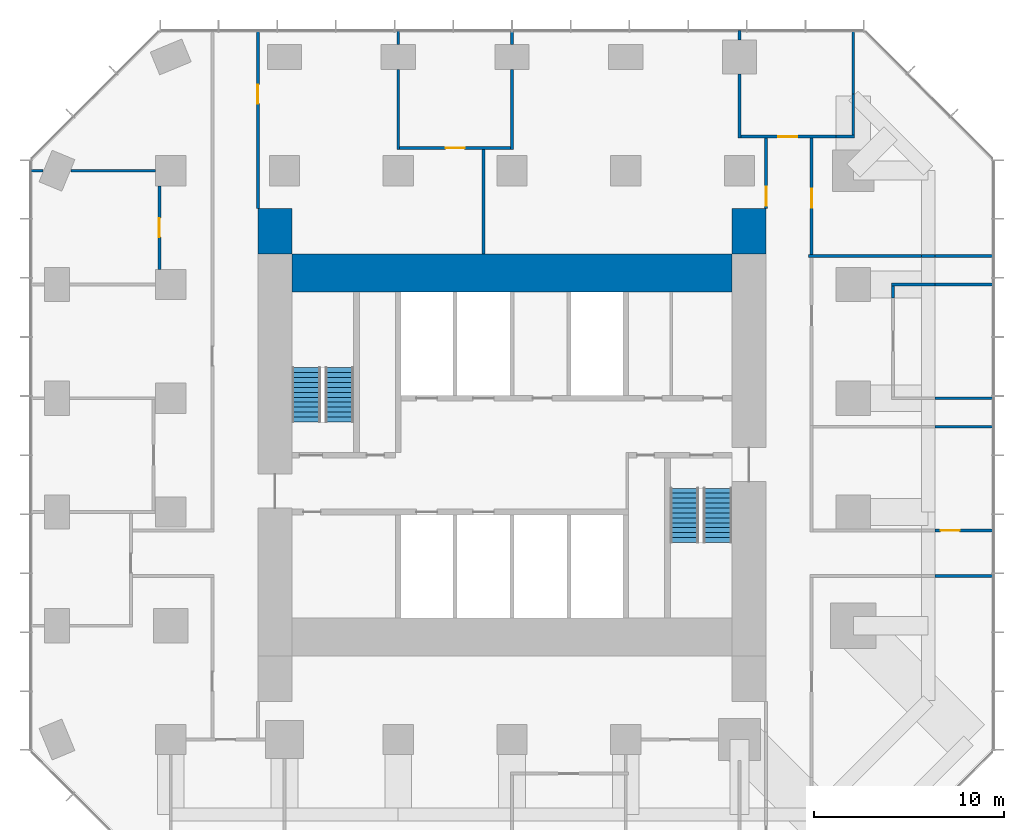
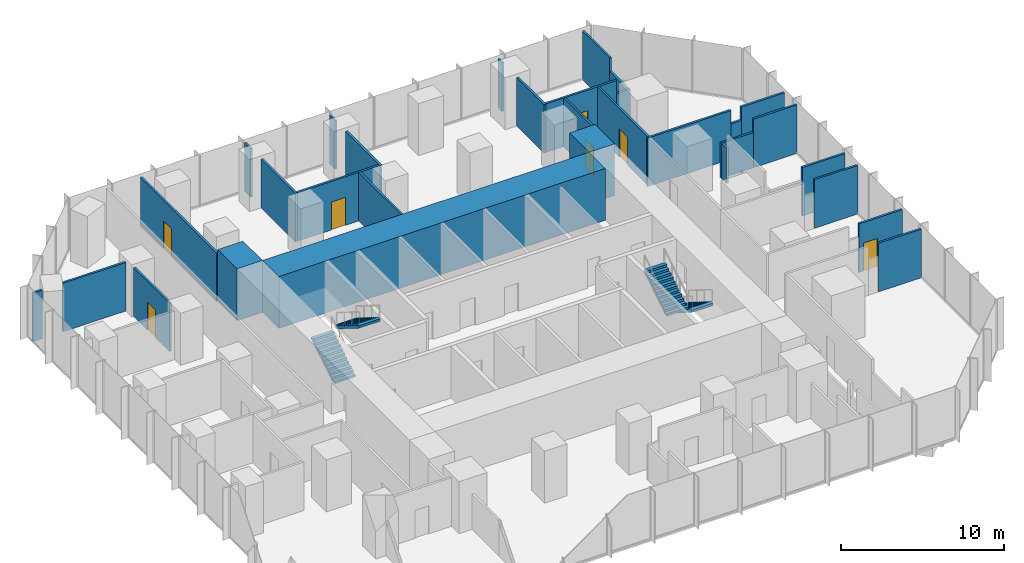
# One storey, part 10 of 11: 31 walls, 7 doors, 4 stair flights, 7 openings, 2 elements without a shape of their own.
"""IFC4 building model written with IfcOpenShell, lengths in metres."""

import ifcopenshell
import ifcopenshell.guid

model = None  # the IFC model being written
_history = None  # IfcOwnerHistory: only IFC2X3 demands one
_inside = {}  # id of a spatial element -> (the spatial element, [elements in it])
_under = {}  # id of a project, library or spatial element -> (it, [spatial elements below it])
_declared = {}  # id of a project -> (the project, [libraries it declares])
_typed = {}  # id of a type object -> (the type object, [elements of that type])
_made_of = {}  # id of a material, layer set ... -> (it, [elements and type objects made of it])


def new_model(schema):
    """Start an empty IFC model of exactly this schema.

    Asked for "IFC4X3", IfcOpenShell would pick the latest addendum, in which some entities
    have other attributes; the version numbers below select the first issue.
    IFC2X3 requires an IfcOwnerHistory on every rooted entity: one is made here for all.
    """
    global model, _history
    if schema == "IFC4X3":
        model = ifcopenshell.file(schema_version=(4, 3, 0, 0))
    else:
        model = ifcopenshell.file(schema=schema)
    _inside.clear()
    _under.clear()
    _declared.clear()
    _typed.clear()
    _made_of.clear()
    _history = None
    if model.schema == "IFC2X3":
        org = make("IfcOrganization", Name="unknown")
        user = make(
            "IfcPersonAndOrganization",
            ThePerson=make("IfcPerson", FamilyName="unknown"),
            TheOrganization=org,
        )
        app = make(
            "IfcApplication",
            ApplicationDeveloper=org,
            Version="unknown",
            ApplicationFullName="unknown",
            ApplicationIdentifier="unknown",
        )
        _history = make(
            "IfcOwnerHistory",
            OwningUser=user,
            OwningApplication=app,
            ChangeAction="ADDED",
            CreationDate=0,
        )
    return model


def make(cls, **values):
    """One entity of the class cls with the attributes given. An attribute that is None is left unset."""
    return model.create_entity(
        cls, **{name: value for name, value in values.items() if value is not None}
    )


def rooted(cls, **values):
    """An entity with a GlobalId (a new one), such as an element, a storey or a relation."""
    return make(cls, GlobalId=ifcopenshell.guid.new(), OwnerHistory=_history, **values)


def si_unit(unit_type, name, prefix=None):
    """IfcSIUnit, for example si_unit("LENGTHUNIT", "METRE", prefix="MILLI")."""
    return make("IfcSIUnit", UnitType=unit_type, Prefix=prefix, Name=name)


def assignment(units):
    """IfcUnitAssignment: the units of a project."""
    return None if units is None else make("IfcUnitAssignment", Units=units)


def point(xyz):
    """IfcCartesianPoint."""
    return None if xyz is None else make("IfcCartesianPoint", Coordinates=xyz)


def direction(xyz):
    """IfcDirection."""
    return None if xyz is None else make("IfcDirection", DirectionRatios=xyz)


def frame(location, z_axis=None, x_axis=None):
    """IfcAxis2Placement3D, a coordinate frame: its origin and axes. An axis left out is left unset."""
    return make(
        "IfcAxis2Placement3D",
        Location=point(location),
        Axis=direction(z_axis),
        RefDirection=direction(x_axis),
    )


def frame_2d(location, x_axis=None):
    """IfcAxis2Placement2D, a coordinate frame in the plane: its origin and x axis."""
    return make(
        "IfcAxis2Placement2D", Location=point(location), RefDirection=direction(x_axis)
    )


def origin():
    """The frame at (0, 0, 0) with its axes left unset."""
    return frame((0.0, 0.0, 0.0))


def place(relative_to, where):
    """IfcLocalPlacement: puts the frame where relative to a parent placement (None: the world)."""
    return make(
        "IfcLocalPlacement", PlacementRelTo=relative_to, RelativePlacement=where
    )


def context(
    kind, dimensions, precision=None, world=None, true_north=None, identifier=None
):
    """IfcGeometricRepresentationContext, for example the 3D "Model" context."""
    return make(
        "IfcGeometricRepresentationContext",
        ContextIdentifier=identifier,
        ContextType=kind,
        CoordinateSpaceDimension=dimensions,
        Precision=precision,
        WorldCoordinateSystem=world,
        TrueNorth=true_north,
    )


def subcontext(parent, identifier, kind, view, scale=None):
    """IfcGeometricRepresentationSubContext, for example "Body" below "Model"."""
    return make(
        "IfcGeometricRepresentationSubContext",
        ContextIdentifier=identifier,
        ContextType=kind,
        ParentContext=parent,
        TargetScale=scale,
        TargetView=view,
    )


def project(units=None, contexts=None):
    """IfcProject with its units and contexts."""
    return rooted(
        "IfcProject",
        Name="project",
        RepresentationContexts=contexts,
        UnitsInContext=assignment(units),
    )


def spatial(cls, under=None, at=None, **own):
    """A site, building, storey or space (cls), placed at a placement, below another one or the project."""
    s = rooted(cls, ObjectPlacement=at, **own)
    if under is not None:
        _under.setdefault(under.id(), (under, []))[1].append(s)
    return s


def polyline(points):
    """IfcPolyline through the points."""
    return make("IfcPolyline", Points=[point(p) for p in points])


def profile(cls, at=None, kind="AREA", **sizes):
    """A parametric profile (cls). Its sizes go by their IFC names, for example OverallWidth=200.0."""
    return make(cls, ProfileType=kind, Position=at, **sizes)


def rectangle(**sizes):
    """IfcRectangleProfileDef."""
    return profile("IfcRectangleProfileDef", **sizes)


def outline(outer, holes=None, kind="AREA"):
    """IfcArbitraryClosedProfileDef: a profile drawn as a closed curve; with holes, ...WithVoids."""
    if holes is None:
        return make("IfcArbitraryClosedProfileDef", ProfileType=kind, OuterCurve=outer)
    return make(
        "IfcArbitraryProfileDefWithVoids",
        ProfileType=kind,
        OuterCurve=outer,
        InnerCurves=holes,
    )


def extrude(swept, where, along, depth):
    """IfcExtrudedAreaSolid: the profile swept, set in the frame where, extruded along a direction by depth."""
    return make(
        "IfcExtrudedAreaSolid",
        SweptArea=swept,
        Position=where,
        ExtrudedDirection=direction(along),
        Depth=depth,
    )


def shape(context_of_items, identifier, shape_type, items):
    """IfcShapeRepresentation: the items that make up one representation, for example the "Body"."""
    return make(
        "IfcShapeRepresentation",
        ContextOfItems=context_of_items,
        RepresentationIdentifier=identifier,
        RepresentationType=shape_type,
        Items=items,
    )


def material(Name=None, Category=None):
    """IfcMaterial."""
    return make("IfcMaterial", Name=Name, Category=Category)


def layer(
    of_material, thickness, ventilated=None, Name=None, Category=None, Priority=None
):
    """IfcMaterialLayer: one layer of a wall or slab, of a material (None: an air gap)."""
    return make(
        "IfcMaterialLayer",
        Material=of_material,
        LayerThickness=thickness,
        IsVentilated=ventilated,
        Name=Name,
        Category=Category,
        Priority=Priority,
    )


def layer_set(layers, Name=None):
    """IfcMaterialLayerSet."""
    return make("IfcMaterialLayerSet", MaterialLayers=layers, LayerSetName=Name)


def made_of(thing, what):
    """Note that an element or type object is made of a material, layer set ...; save() writes the relation."""
    if what is not None:
        _made_of.setdefault(what.id(), (what, []))[1].append(thing)
    return thing


def type_object(cls, material=None, **own):
    """A type object (cls), such as IfcWallType, which elements share."""
    return made_of(rooted(cls, **own), material)


def element(
    cls,
    number,
    at=None,
    inside=None,
    cuts=None,
    type_object=None,
    material=None,
    context=None,
    identifier="Body",
    shape_type=None,
    held_by="IfcProductDefinitionShape",
    body=None,
    shapes=None,
    **own,
):
    """One element of the class cls, such as IfcWall. Its Tag is "e" and its number.

    at: its placement. inside: the storey or other place that contains it. cuts: it is an
    opening in that element (IfcRelVoidsElement). A single representation is given by context,
    identifier, shape_type and body (its items); several are given by shapes. held_by: the class
    of the entity that holds the representations. save() writes the other relations.
    """
    e = rooted(cls, Tag="e%d" % number, ObjectPlacement=at, **own)
    if body is not None:
        shapes = [shape(context, identifier, shape_type, body)]
    if shapes is not None:
        e.Representation = make(held_by, Representations=shapes)
    if inside is not None:
        _inside.setdefault(inside.id(), (inside, []))[1].append(e)
    if cuts is not None:
        rooted(
            "IfcRelVoidsElement", RelatingBuildingElement=cuts, RelatedOpeningElement=e
        )
    if type_object is not None:
        _typed.setdefault(type_object.id(), (type_object, []))[1].append(e)
    return made_of(e, material)


def fill(opening, filler):
    """IfcRelFillsElement: the door or window that sits in an opening."""
    return rooted(
        "IfcRelFillsElement",
        RelatingOpeningElement=opening,
        RelatedBuildingElement=filler,
    )


def aggregate(whole, parts):
    """IfcRelAggregates: a whole, such as a stair, and the parts it consists of."""
    return rooted("IfcRelAggregates", RelatingObject=whole, RelatedObjects=parts)


def save(model, path):
    """Write the relations noted so far, then the file.

    IfcRelAggregates (storeys below a building ...), IfcRelContainedInSpatialStructure (elements
    in a storey), IfcRelDefinesByType, IfcRelAssociatesMaterial and IfcRelDeclares: one each for
    every whole, place, type object, material and project.
    """
    for whole, parts in _under.values():
        aggregate(whole, parts)
    for where, things in _inside.values():
        rooted(
            "IfcRelContainedInSpatialStructure",
            RelatedElements=things,
            RelatingStructure=where,
        )
    for kind, things in _typed.values():
        rooted("IfcRelDefinesByType", RelatedObjects=things, RelatingType=kind)
    for what, things in _made_of.values():
        rooted("IfcRelAssociatesMaterial", RelatedObjects=things, RelatingMaterial=what)
    for by, libraries in _declared.values():
        rooted("IfcRelDeclares", RelatingContext=by, RelatedDefinitions=libraries)
    model.write(path)


model = new_model("IFC4")

# Units and contexts
model_context = context("Model", 3, precision=1e-05, world=origin(), true_north=direction((0.0, 1.0)))
body_context = subcontext(model_context, "Body", "Model", "MODEL_VIEW")
ifc_project = project(units=[si_unit("LENGTHUNIT", "METRE"), si_unit("AREAUNIT", "SQUARE_METRE"), si_unit("VOLUMEUNIT", "CUBIC_METRE"), si_unit("PLANEANGLEUNIT", "RADIAN"), si_unit("MASSUNIT", "GRAM", prefix="KILO")], contexts=[model_context])

# Site, building, storey
site_placement = place(None, origin())
site = spatial("IfcSite", under=ifc_project, at=site_placement, CompositionType="ELEMENT")
building_placement = place(site_placement, origin())
building = spatial("IfcBuilding", under=site, at=building_placement, Name="Highveld Stack Headquarters", CompositionType="ELEMENT")
storey_placement = place(building_placement, frame((0.0, 0.0, 144.5)))
storey = spatial("IfcBuildingStorey", under=building, at=storey_placement, Name="L35", CompositionType="ELEMENT", Elevation=144.5)

# Walls
ifc_material_1 = material(Name="Concrete C60/75", Category="concrete")
ifc_layer_1 = layer(ifc_material_1, 2.0)
ifc_layer_set_1 = layer_set([ifc_layer_1], Name="Concrete C60/75")
wall_type_1 = type_object("IfcWallType", Name="CORE WALL 2000 C60/75", PredefinedType="SHEAR", material=ifc_layer_set_1)
wall_1_placement = place(storey_placement, frame((-5.60009765625, 12.60009765625, 0.0), z_axis=(0.0, 0.0, 1.0), x_axis=(1.0, 0.0, 0.0)))
element("IfcWall", 1, at=wall_1_placement, inside=storey, type_object=wall_type_1, Name="Core wall N L35", PredefinedType="SHEAR", context=body_context, shape_type="SweptSolid", body=[
    extrude(rectangle(XDim=23.2001953125, YDim=2.0, at=frame_2d((11.60009765625, 0.0))), origin(), (0.0, 0.0, 1.0), 3.89990234375),
])
ifc_material_2 = material(Name="Concrete C60/75", Category="concrete")
ifc_layer_2 = layer(ifc_material_2, 1.800048828125)
ifc_layer_set_2 = layer_set([ifc_layer_2], Name="Concrete C60/75")
wall_type_2 = type_object("IfcWallType", Name="CORE WING WALL 1800 C60/75", PredefinedType="SHEAR", material=ifc_layer_set_2)
for number, where, z_axis, x_axis, name in (
    (2, (-6.5, 13.60009765625, 0.0), (0.0, 0.0, 1.0), (0.0, 1.0, 0.0), "Core wing wall WN L35"),
    (3, (18.5, 13.60009765625, 0.0), (0.0, 0.0, 1.0), (0.0, 1.0, 0.0), "Core wing wall EN L35"),
):
    element("IfcWall", number, at=place(storey_placement, frame(where, z_axis=z_axis, x_axis=x_axis)), inside=storey, type_object=wall_type_2, Name=name, PredefinedType="SHEAR", context=body_context, shape_type="SweptSolid", body=[
        extrude(rectangle(XDim=2.39990234375, YDim=1.800048828125, at=frame_2d((1.199951171875, 0.0))), origin(), (0.0, 0.0, 1.0), 3.89990234375),
    ])

# Wall, opening, door
ifc_material_3 = material(Name="Laminated glass in aluminium frame", Category="aluminium")
ifc_layer_3 = layer(ifc_material_3, 0.14990234375)
ifc_layer_set_3 = layer_set([ifc_layer_3], Name="Laminated glass in aluminium frame")
wall_type_3 = type_object("IfcWallType", Name="GLAZED PARTITION 150", PredefinedType="PARTITIONING", material=ifc_layer_set_3)
wall_2_placement = place(storey_placement, frame((-12.60009765625, 12.800048828125, 0.0), z_axis=(0.0, 0.0, 1.0), x_axis=(0.0, 1.0, 0.0)))
wall_2 = element("IfcWall", 4, at=wall_2_placement, inside=storey, type_object=wall_type_3, Name="Glazed partition Video conference room L35", PredefinedType="PARTITIONING", context=body_context, shape_type="SweptSolid", body=[
    extrude(rectangle(XDim=4.39990234375, YDim=0.14990234375, at=frame_2d((2.199951171875, 0.0))), origin(), (0.0, 0.0, 1.0), 3.64990234375),
])
opening_1_placement = place(wall_2_placement, frame((1.699951171875, 0.0, 0.0)))
opening_1 = element("IfcOpeningElement", 5, at=opening_1_placement, cuts=wall_2, Name="Opening L35-16", PredefinedType="OPENING", context=body_context, shape_type="SweptSolid", body=[
    extrude(rectangle(XDim=1.0, YDim=2.10009765625, at=frame_2d((0.5, 1.050048828125))), frame((0.0, 0.0849609375, 0.0), z_axis=(0.0, -1.0, 0.0), x_axis=(1.0, 0.0, 0.0)), (0.0, 0.0, 1.0), 0.169921875),
])
ifc_material_4 = material(Name="Timber door, oiled ash", Category="wood")
door_type = type_object("IfcDoorType", Name="ROOM DOOR D6 1000x2100", OperationType="SINGLE_SWING_LEFT", PredefinedType="DOOR", material=ifc_material_4)
door_1_placement = place(opening_1_placement, origin())
door_1 = element("IfcDoor", 6, at=door_1_placement, inside=storey, type_object=door_type, Name="Video conference room door 1 L35", OperationType="SINGLE_SWING_RIGHT", OverallHeight=2.10009765625, OverallWidth=1.0, PredefinedType="DOOR", context=body_context, shape_type="SweptSolid", body=[
    extrude(rectangle(XDim=1.0, YDim=2.10009765625, at=frame_2d((0.5, 1.050048828125))), frame((0.0, 0.02490234375, 0.0), z_axis=(0.0, -1.0, 0.0), x_axis=(1.0, 0.0, 0.0)), (0.0, 0.0, 1.0), 0.050048828125),
])
fill(opening_1, door_1)

# Walls
ifc_material_5 = material(Name="Gypsum plasterboard on steel studs", Category="steel")
ifc_layer_4 = layer(ifc_material_5, 0.14990234375)
ifc_layer_set_4 = layer_set([ifc_layer_4], Name="Gypsum plasterboard on steel studs")
wall_type_4 = type_object("IfcWallType", Name="PARTITION 150 PLASTERBOARD", PredefinedType="PARTITIONING", material=ifc_layer_set_4)
wall_3_placement = place(storey_placement, frame((28.31005859375, 6.0, 0.0), z_axis=(0.0, 0.0, 1.0), x_axis=(1.0, 0.0, 0.0)))
element("IfcWall", 7, at=wall_3_placement, inside=storey, type_object=wall_type_4, Name="Partition Focus room L35", PredefinedType="PARTITIONING", context=body_context, shape_type="SweptSolid", body=[
    extrude(rectangle(XDim=3.0400390625, YDim=0.14990234375, at=frame_2d((1.52001953125, 0.0))), origin(), (0.0, 0.0, 1.0), 3.64990234375),
])
wall_4_placement = place(storey_placement, frame((26.02490234375, 12.0, 0.0), z_axis=(0.0, 0.0, 1.0), x_axis=(1.0, 0.0, 0.0)))
element("IfcWall", 8, at=wall_4_placement, inside=storey, type_object=wall_type_4, Name="Partition Focus room L35", PredefinedType="PARTITIONING", context=body_context, shape_type="SweptSolid", body=[
    extrude(rectangle(XDim=2.28515625, YDim=0.14990234375, at=frame_2d((1.142578125, 0.0))), origin(), (0.0, 0.0, 1.0), 2.64990234375),
])
wall_5_placement = place(storey_placement, frame((28.31005859375, 12.0, 0.0), z_axis=(0.0, 0.0, 1.0), x_axis=(1.0, 0.0, 0.0)))
element("IfcWall", 9, at=wall_5_placement, inside=storey, type_object=wall_type_4, Name="Partition Focus room L35", PredefinedType="PARTITIONING", context=body_context, shape_type="SweptSolid", body=[
    extrude(rectangle(XDim=3.08984375, YDim=0.14990234375, at=frame_2d((1.544921875, 0.0))), origin(), (0.0, 0.0, 1.0), 3.64990234375),
])
wall_6_placement = place(storey_placement, frame((-19.39990234375, 18.0, 0.0), z_axis=(0.0, 0.0, 1.0), x_axis=(1.0, 0.0, 0.0)))
element("IfcWall", 10, at=wall_6_placement, inside=storey, type_object=wall_type_4, Name="Partition Video conference room L35", PredefinedType="PARTITIONING", context=body_context, shape_type="SweptSolid", body=[
    extrude(rectangle(XDim=0.665283203125, YDim=0.14990234375, at=frame_2d((0.33251953125, 0.0))), origin(), (0.0, 0.0, 1.0), 3.64990234375),
])
wall_7_placement = place(storey_placement, frame((-17.265380859375, 18.0, 0.0), z_axis=(0.0, 0.0, 1.0), x_axis=(1.0, 0.0, 0.0)))
element("IfcWall", 11, at=wall_7_placement, inside=storey, type_object=wall_type_4, Name="Partition Video conference room L35", PredefinedType="PARTITIONING", context=body_context, shape_type="SweptSolid", body=[
    extrude(rectangle(XDim=4.46533203125, YDim=0.14990234375, at=frame_2d((2.232666015625, 0.0))), origin(), (0.0, 0.0, 1.0), 3.64990234375),
])

# Wall, opening, door
wall_8_placement = place(storey_placement, frame((0.074951171875, 19.199951171875, 0.0), z_axis=(0.0, 0.0, 1.0), x_axis=(1.0, 0.0, 0.0)))
wall_8 = element("IfcWall", 12, at=wall_8_placement, inside=storey, type_object=wall_type_4, Name="Partition Tea kitchen L35", PredefinedType="PARTITIONING", context=body_context, shape_type="SweptSolid", body=[
    extrude(rectangle(XDim=5.85009765625, YDim=0.14990234375, at=frame_2d((2.925048828125, 0.0))), origin(), (0.0, 0.0, 1.0), 3.64990234375),
])
opening_2_placement = place(wall_8_placement, frame((2.425048828125, 0.0, 0.0)))
opening_2 = element("IfcOpeningElement", 13, at=opening_2_placement, cuts=wall_8, Name="Opening L35-18", PredefinedType="OPENING", context=body_context, shape_type="SweptSolid", body=[
    extrude(rectangle(XDim=1.0, YDim=2.10009765625, at=frame_2d((0.5, 1.050048828125))), frame((0.0, 0.0849609375, 0.0), z_axis=(0.0, -1.0, 0.0), x_axis=(1.0, 0.0, 0.0)), (0.0, 0.0, 1.0), 0.169921875),
])
door_2_placement = place(opening_2_placement, origin())
door_2 = element("IfcDoor", 14, at=door_2_placement, inside=storey, type_object=door_type, Name="Tea kitchen door 1 L35", OperationType="SINGLE_SWING_RIGHT", OverallHeight=2.10009765625, OverallWidth=1.0, PredefinedType="DOOR", context=body_context, shape_type="SweptSolid", body=[
    extrude(rectangle(XDim=1.0, YDim=2.10009765625, at=frame_2d((0.5, 1.050048828125))), frame((0.0, 0.02490234375, 0.0), z_axis=(0.0, -1.0, 0.0), x_axis=(1.0, 0.0, 0.0)), (0.0, 0.0, 1.0), 0.050048828125),
])
fill(opening_2, door_2)

wall_9_placement = place(storey_placement, frame((18.074951171875, 19.800048828125, 0.0), z_axis=(0.0, 0.0, 1.0), x_axis=(1.0, 0.0, 0.0)))
wall_9 = element("IfcWall", 15, at=wall_9_placement, inside=storey, type_object=wall_type_4, Name="Partition Print room L35", PredefinedType="PARTITIONING", context=body_context, shape_type="SweptSolid", body=[
    extrude(rectangle(XDim=5.01513671875, YDim=0.14990234375, at=frame_2d((2.507568359375, 0.0))), origin(), (0.0, 0.0, 1.0), 3.64990234375),
])
opening_3_placement = place(wall_9_placement, frame((1.969970703125, 0.0, 0.0)))
opening_3 = element("IfcOpeningElement", 16, at=opening_3_placement, cuts=wall_9, Name="Opening L35-19", PredefinedType="OPENING", context=body_context, shape_type="SweptSolid", body=[
    extrude(rectangle(XDim=1.0, YDim=2.10009765625, at=frame_2d((0.5, 1.050048828125))), frame((0.0, 0.0849609375, 0.0), z_axis=(0.0, -1.0, 0.0), x_axis=(1.0, 0.0, 0.0)), (0.0, 0.0, 1.0), 0.169921875),
])
door_3_placement = place(opening_3_placement, origin())
door_3 = element("IfcDoor", 17, at=door_3_placement, inside=storey, type_object=door_type, Name="Print room door 1 L35", OperationType="SINGLE_SWING_LEFT", OverallHeight=2.10009765625, OverallWidth=1.0, PredefinedType="DOOR", context=body_context, shape_type="SweptSolid", body=[
    extrude(rectangle(XDim=1.0, YDim=2.10009765625, at=frame_2d((0.5, 1.050048828125))), frame((0.0, 0.02490234375, 0.0), z_axis=(0.0, -1.0, 0.0), x_axis=(1.0, 0.0, 0.0)), (0.0, 0.0, 1.0), 0.050048828125),
])
fill(opening_3, door_3)

# Walls
wall_10_placement = place(storey_placement, frame((23.090087890625, 19.800048828125, 0.0), z_axis=(0.0, 0.0, 1.0), x_axis=(1.0, 0.0, 0.0)))
element("IfcWall", 18, at=wall_10_placement, inside=storey, type_object=wall_type_4, Name="Partition Print room L35", PredefinedType="PARTITIONING", context=body_context, shape_type="SweptSolid", body=[
    extrude(rectangle(XDim=0.98486328125, YDim=0.14990234375, at=frame_2d((0.492431640625, 0.0))), origin(), (0.0, 0.0, 1.0), 2.64990234375),
])
wall_11_placement = place(storey_placement, frame((0.0, 19.125, 0.0), z_axis=(0.0, 0.0, 1.0), x_axis=(0.0, 1.0, 0.0)))
element("IfcWall", 19, at=wall_11_placement, inside=storey, type_object=wall_type_4, Name="Partition Tea kitchen L35", PredefinedType="PARTITIONING", context=body_context, shape_type="SweptSolid", body=[
    extrude(rectangle(XDim=4.22509765625, YDim=0.14990234375, at=frame_2d((2.112548828125, 0.0))), origin(), (0.0, 0.0, 1.0), 3.64990234375),
])
wall_12_placement = place(storey_placement, frame((0.0, 24.64990234375, 0.0), z_axis=(0.0, 0.0, 1.0), x_axis=(0.0, 1.0, 0.0)))
element("IfcWall", 20, at=wall_12_placement, inside=storey, type_object=wall_type_4, Name="Partition Tea kitchen L35", PredefinedType="PARTITIONING", context=body_context, shape_type="SweptSolid", body=[
    extrude(rectangle(XDim=0.75, YDim=0.14990234375, at=frame_2d((0.375, 0.0))), origin(), (0.0, 0.0, 1.0), 3.64990234375),
])
wall_13_placement = place(storey_placement, frame((6.0, 19.125, 0.0), z_axis=(0.0, 0.0, 1.0), x_axis=(0.0, 1.0, 0.0)))
element("IfcWall", 21, at=wall_13_placement, inside=storey, type_object=wall_type_4, Name="Partition Tea kitchen L35", PredefinedType="PARTITIONING", context=body_context, shape_type="SweptSolid", body=[
    extrude(rectangle(XDim=4.22509765625, YDim=0.14990234375, at=frame_2d((2.112548828125, 0.0))), origin(), (0.0, 0.0, 1.0), 3.64990234375),
])
wall_14_placement = place(storey_placement, frame((6.0, 24.64990234375, 0.0), z_axis=(0.0, 0.0, 1.0), x_axis=(0.0, 1.0, 0.0)))
element("IfcWall", 22, at=wall_14_placement, inside=storey, type_object=wall_type_4, Name="Partition Tea kitchen L35", PredefinedType="PARTITIONING", context=body_context, shape_type="SweptSolid", body=[
    extrude(rectangle(XDim=0.7001953125, YDim=0.14990234375, at=frame_2d((0.35009765625, 0.0))), origin(), (0.0, 0.0, 1.0), 3.64990234375),
])
wall_15_placement = place(storey_placement, frame((18.0, 19.72509765625, 0.0), z_axis=(0.0, 0.0, 1.0), x_axis=(0.0, 1.0, 0.0)))
element("IfcWall", 23, at=wall_15_placement, inside=storey, type_object=wall_type_4, Name="Partition Print room L35", PredefinedType="PARTITIONING", context=body_context, shape_type="SweptSolid", body=[
    extrude(rectangle(XDim=3.375, YDim=0.14990234375, at=frame_2d((1.6875, 0.0))), origin(), (0.0, 0.0, 1.0), 3.64990234375),
])
wall_16_placement = place(storey_placement, frame((18.0, 24.89990234375, 0.0), z_axis=(0.0, 0.0, 1.0), x_axis=(0.0, 1.0, 0.0)))
element("IfcWall", 24, at=wall_16_placement, inside=storey, type_object=wall_type_4, Name="Partition Print room L35", PredefinedType="PARTITIONING", context=body_context, shape_type="SweptSolid", body=[
    extrude(rectangle(XDim=0.5, YDim=0.14990234375, at=frame_2d((0.25, 0.0))), origin(), (0.0, 0.0, 1.0), 3.64990234375),
])
wall_17_placement = place(storey_placement, frame((24.0, 19.875, 0.0), z_axis=(0.0, 0.0, 1.0), x_axis=(0.0, 1.0, 0.0)))
element("IfcWall", 25, at=wall_17_placement, inside=storey, type_object=wall_type_4, Name="Partition Print room L35", PredefinedType="PARTITIONING", context=body_context, shape_type="SweptSolid", body=[
    extrude(rectangle(XDim=2.169921875, YDim=0.14990234375, at=frame_2d((1.0849609375, 0.0))), origin(), (0.0, 0.0, 1.0), 2.64990234375),
])
wall_18_placement = place(storey_placement, frame((24.0, 22.044921875, 0.0), z_axis=(0.0, 0.0, 1.0), x_axis=(0.0, 1.0, 0.0)))
element("IfcWall", 26, at=wall_18_placement, inside=storey, type_object=wall_type_4, Name="Partition Print room L35", PredefinedType="PARTITIONING", context=body_context, shape_type="SweptSolid", body=[
    extrude(rectangle(XDim=3.35498046875, YDim=0.14990234375, at=frame_2d((1.677490234375, 0.0))), origin(), (0.0, 0.0, 1.0), 3.64990234375),
])
wall_19_placement = place(storey_placement, frame((26.10009765625, 11.2900390625, 0.0), z_axis=(0.0, 0.0, 1.0), x_axis=(0.0, 1.0, 0.0)))
element("IfcWall", 27, at=wall_19_placement, inside=storey, type_object=wall_type_4, Name="Partition Focus room L35", PredefinedType="PARTITIONING", context=body_context, shape_type="SweptSolid", body=[
    extrude(rectangle(XDim=0.635009765625, YDim=0.14990234375, at=frame_2d((0.3173828125, 0.0))), origin(), (0.0, 0.0, 1.0), 2.64990234375),
])

# Wall, opening, door
wall_20_placement = place(storey_placement, frame((-7.39990234375, 16.0, 0.0), z_axis=(0.0, 0.0, 1.0), x_axis=(0.0, 1.0, 0.0)))
wall_20 = element("IfcWall", 28, at=wall_20_placement, inside=storey, type_object=wall_type_4, Name="Partition office neighbourhood L35", PredefinedType="PARTITIONING", context=body_context, shape_type="SweptSolid", body=[
    extrude(rectangle(XDim=9.39990234375, YDim=0.14990234375, at=frame_2d((4.699951171875, 0.0))), origin(), (0.0, 0.0, 1.0), 3.64990234375),
])
opening_4_placement = place(wall_20_placement, frame((5.544921875, 0.0, 0.0)))
opening_4 = element("IfcOpeningElement", 29, at=opening_4_placement, cuts=wall_20, Name="Opening L35-27", PredefinedType="OPENING", context=body_context, shape_type="SweptSolid", body=[
    extrude(rectangle(XDim=1.0, YDim=2.10009765625, at=frame_2d((0.5, 1.050048828125))), frame((0.0, 0.0849609375, 0.0), z_axis=(0.0, -1.0, 0.0), x_axis=(1.0, 0.0, 0.0)), (0.0, 0.0, 1.0), 0.169921875),
])
door_4_placement = place(opening_4_placement, origin())
door_4 = element("IfcDoor", 30, at=door_4_placement, inside=storey, type_object=door_type, Name="Office neighbourhood door L35", OperationType="SINGLE_SWING_RIGHT", OverallHeight=2.10009765625, OverallWidth=1.0, PredefinedType="DOOR", context=body_context, shape_type="SweptSolid", body=[
    extrude(rectangle(XDim=1.0, YDim=2.10009765625, at=frame_2d((0.5, 1.050048828125))), frame((0.0, 0.02490234375, 0.0), z_axis=(0.0, -1.0, 0.0), x_axis=(1.0, 0.0, 0.0)), (0.0, 0.0, 1.0), 0.050048828125),
])
fill(opening_4, door_4)

# Wall
wall_21_placement = place(storey_placement, frame((4.5, 13.60009765625, 0.0), z_axis=(0.0, 0.0, 1.0), x_axis=(0.0, 1.0, 0.0)))
element("IfcWall", 31, at=wall_21_placement, inside=storey, type_object=wall_type_4, Name="Partition office neighbourhood L35", PredefinedType="PARTITIONING", context=body_context, shape_type="SweptSolid", body=[
    extrude(rectangle(XDim=5.52490234375, YDim=0.14990234375, at=frame_2d((2.762451171875, 0.0))), origin(), (0.0, 0.0, 1.0), 3.64990234375),
])

# Wall, opening, door
wall_22_placement = place(storey_placement, frame((19.39990234375, 16.0, 0.0), z_axis=(0.0, 0.0, 1.0), x_axis=(0.0, 1.0, 0.0)))
wall_22 = element("IfcWall", 32, at=wall_22_placement, inside=storey, type_object=wall_type_4, Name="Partition office neighbourhood L35", PredefinedType="PARTITIONING", context=body_context, shape_type="SweptSolid", body=[
    extrude(rectangle(XDim=3.72509765625, YDim=0.14990234375, at=frame_2d((1.862548828125, 0.0))), origin(), (0.0, 0.0, 1.0), 3.64990234375),
])
opening_5_placement = place(wall_22_placement, frame((0.14990234375, 0.0, 0.0)))
opening_5 = element("IfcOpeningElement", 33, at=opening_5_placement, cuts=wall_22, Name="Opening L35-28", PredefinedType="OPENING", context=body_context, shape_type="SweptSolid", body=[
    extrude(rectangle(XDim=1.0, YDim=2.10009765625, at=frame_2d((0.5, 1.050048828125))), frame((0.0, 0.0849609375, 0.0), z_axis=(0.0, -1.0, 0.0), x_axis=(1.0, 0.0, 0.0)), (0.0, 0.0, 1.0), 0.169921875),
])
door_5_placement = place(opening_5_placement, origin())
door_5 = element("IfcDoor", 34, at=door_5_placement, inside=storey, type_object=door_type, Name="Office neighbourhood door L35", OperationType="SINGLE_SWING_LEFT", OverallHeight=2.10009765625, OverallWidth=1.0, PredefinedType="DOOR", context=body_context, shape_type="SweptSolid", body=[
    extrude(rectangle(XDim=1.0, YDim=2.10009765625, at=frame_2d((0.5, 1.050048828125))), frame((0.0, 0.02490234375, 0.0), z_axis=(0.0, -1.0, 0.0), x_axis=(1.0, 0.0, 0.0)), (0.0, 0.0, 1.0), 0.050048828125),
])
fill(opening_5, door_5)

# Wall
wall_23_placement = place(storey_placement, frame((28.31005859375, -3.375, 0.0), z_axis=(0.0, 0.0, 1.0), x_axis=(1.0, 0.0, 0.0)))
element("IfcWall", 35, at=wall_23_placement, inside=storey, type_object=wall_type_4, Name="Partition office neighbourhood L35", PredefinedType="PARTITIONING", context=body_context, shape_type="SweptSolid", body=[
    extrude(rectangle(XDim=3.0400390625, YDim=0.14990234375, at=frame_2d((1.52001953125, 0.0))), origin(), (0.0, 0.0, 1.0), 3.64990234375),
])

# Wall, opening, door
wall_24_placement = place(storey_placement, frame((28.31005859375, -0.97509765625, 0.0), z_axis=(0.0, 0.0, 1.0), x_axis=(1.0, 0.0, 0.0)))
wall_24 = element("IfcWall", 36, at=wall_24_placement, inside=storey, type_object=wall_type_4, Name="Partition office neighbourhood L35", PredefinedType="PARTITIONING", context=body_context, shape_type="SweptSolid", body=[
    extrude(rectangle(XDim=3.08984375, YDim=0.14990234375, at=frame_2d((1.544921875, 0.0))), origin(), (0.0, 0.0, 1.0), 3.64990234375),
])
opening_6_placement = place(wall_24_placement, frame((0.300048828125, 0.0, 0.0)))
opening_6 = element("IfcOpeningElement", 37, at=opening_6_placement, cuts=wall_24, Name="Opening L35-23", PredefinedType="OPENING", context=body_context, shape_type="SweptSolid", body=[
    extrude(rectangle(XDim=1.0, YDim=2.10009765625, at=frame_2d((0.5, 1.050048828125))), frame((0.0, 0.0849609375, 0.0), z_axis=(0.0, -1.0, 0.0), x_axis=(1.0, 0.0, 0.0)), (0.0, 0.0, 1.0), 0.169921875),
])
door_6_placement = place(opening_6_placement, origin())
door_6 = element("IfcDoor", 38, at=door_6_placement, inside=storey, type_object=door_type, Name="Office neighbourhood door L35", OperationType="SINGLE_SWING_LEFT", OverallHeight=2.10009765625, OverallWidth=1.0, PredefinedType="DOOR", context=body_context, shape_type="SweptSolid", body=[
    extrude(rectangle(XDim=1.0, YDim=2.10009765625, at=frame_2d((0.5, 1.050048828125))), frame((0.0, 0.02490234375, 0.0), z_axis=(0.0, -1.0, 0.0), x_axis=(1.0, 0.0, 0.0)), (0.0, 0.0, 1.0), 0.050048828125),
])
fill(opening_6, door_6)

# Wall
wall_25_placement = place(storey_placement, frame((28.31005859375, 4.5, 0.0), z_axis=(0.0, 0.0, 1.0), x_axis=(1.0, 0.0, 0.0)))
element("IfcWall", 39, at=wall_25_placement, inside=storey, type_object=wall_type_4, Name="Partition office neighbourhood L35", PredefinedType="PARTITIONING", context=body_context, shape_type="SweptSolid", body=[
    extrude(rectangle(XDim=3.08984375, YDim=0.14990234375, at=frame_2d((1.544921875, 0.0))), origin(), (0.0, 0.0, 1.0), 3.64990234375),
])

# Wall, opening, door
wall_26_placement = place(storey_placement, frame((21.800048828125, 13.574951171875, 0.0), z_axis=(0.0, 0.0, 1.0), x_axis=(0.0, 1.0, 0.0)))
wall_26 = element("IfcWall", 40, at=wall_26_placement, inside=storey, type_object=wall_type_4, Name="Partition office neighbourhood L35", PredefinedType="PARTITIONING", context=body_context, shape_type="SweptSolid", body=[
    extrude(rectangle(XDim=6.150146484375, YDim=0.14990234375, at=frame_2d((3.0751953125, 0.0))), origin(), (0.0, 0.0, 1.0), 3.64990234375),
])
opening_7_placement = place(wall_26_placement, frame((2.47509765625, 0.0, 0.0)))
opening_7 = element("IfcOpeningElement", 41, at=opening_7_placement, cuts=wall_26, Name="Opening L35-26", PredefinedType="OPENING", context=body_context, shape_type="SweptSolid", body=[
    extrude(rectangle(XDim=1.0, YDim=2.10009765625, at=frame_2d((0.5, 1.050048828125))), frame((0.0, 0.0849609375, 0.0), z_axis=(0.0, -1.0, 0.0), x_axis=(1.0, 0.0, 0.0)), (0.0, 0.0, 1.0), 0.169921875),
])
door_7_placement = place(opening_7_placement, origin())
door_7 = element("IfcDoor", 42, at=door_7_placement, inside=storey, type_object=door_type, Name="Office neighbourhood door L35", OperationType="SINGLE_SWING_LEFT", OverallHeight=2.10009765625, OverallWidth=1.0, PredefinedType="DOOR", context=body_context, shape_type="SweptSolid", body=[
    extrude(rectangle(XDim=1.0, YDim=2.10009765625, at=frame_2d((0.5, 1.050048828125))), frame((0.0, 0.02490234375, 0.0), z_axis=(0.0, -1.0, 0.0), x_axis=(1.0, 0.0, 0.0)), (0.0, 0.0, 1.0), 0.050048828125),
])
fill(opening_7, door_7)

# Walls
wall_27_placement = place(storey_placement, frame((21.64990234375, 13.5, 0.0), z_axis=(0.0, 0.0, 1.0), x_axis=(1.0, 0.0, 0.0)))
element("IfcWall", 43, at=wall_27_placement, inside=storey, type_object=wall_type_4, Name="Partition office neighbourhood L35", PredefinedType="PARTITIONING", context=body_context, shape_type="SweptSolid", body=[
    extrude(rectangle(XDim=5.940185546875, YDim=0.14990234375, at=frame_2d((2.97021484375, 0.0))), origin(), (0.0, 0.0, 1.0), 3.64990234375),
])
wall_28_placement = place(storey_placement, frame((27.590087890625, 13.5, 0.0), z_axis=(0.0, 0.0, 1.0), x_axis=(1.0, 0.0, 0.0)))
element("IfcWall", 44, at=wall_28_placement, inside=storey, type_object=wall_type_4, Name="Partition office neighbourhood L35", PredefinedType="PARTITIONING", context=body_context, shape_type="SweptSolid", body=[
    extrude(rectangle(XDim=0.719970703125, YDim=0.14990234375, at=frame_2d((0.35986328125, 0.0))), origin(), (0.0, 0.0, 1.0), 2.64990234375),
])
wall_29_placement = place(storey_placement, frame((28.31005859375, 13.5, 0.0), z_axis=(0.0, 0.0, 1.0), x_axis=(1.0, 0.0, 0.0)))
element("IfcWall", 45, at=wall_29_placement, inside=storey, type_object=wall_type_4, Name="Partition office neighbourhood L35", PredefinedType="PARTITIONING", context=body_context, shape_type="SweptSolid", body=[
    extrude(rectangle(XDim=3.08984375, YDim=0.14990234375, at=frame_2d((1.544921875, 0.0))), origin(), (0.0, 0.0, 1.0), 3.64990234375),
])

# Stair, stair flights
ifc_material_6 = material(Name="Concrete C40/50, precast", Category="concrete")
stair_type_1 = type_object("IfcStairType", Name="STAIR S1 HALF TURN 1500", PredefinedType="HALF_TURN_STAIR", material=ifc_material_6)
stair_1_placement = place(storey_placement, origin())
stair_1 = element("IfcStair", 46, at=stair_1_placement, inside=storey, type_object=stair_type_1, Name="Stair S1 L35", PredefinedType="HALF_TURN_STAIR")
ifc_material_7 = material(Name="Concrete C40/50, precast", Category="concrete")
stair_flight_type = type_object("IfcStairFlightType", Name="STAIR FLIGHT 1500 PRECAST", PredefinedType="STRAIGHT", material=ifc_material_7)
stair_flight_1_placement = place(storey_placement, frame((-4.85009765625, 4.75, 0.0), z_axis=(0.0, 0.0, 1.0), x_axis=(0.0, 1.0, 0.0)))
stair_flight_1 = element("IfcStairFlight", 47, at=stair_flight_1_placement, type_object=stair_flight_type, Name="S1 flight 1", NumberOfRisers=12, NumberOfTreads=11, PredefinedType="STRAIGHT", RiserHeight=0.1625, TreadLength=0.26, context=body_context, shape_type="SweptSolid", body=[
    extrude(outline(polyline([(0.0, 0.0), (0.0, 0.16259765625), (0.260009765625, 0.16259765625), (0.260009765625, 0.324951171875), (0.52001953125, 0.324951171875), (0.52001953125, 0.487548828125), (0.780029296875, 0.487548828125), (0.780029296875, 0.64990234375), (1.0400390625, 0.64990234375), (1.0400390625, 0.8125), (1.300048828125, 0.8125), (1.300048828125, 0.97509765625), (1.56005859375, 0.97509765625), (1.56005859375, 1.137451171875), (1.820068359375, 1.137451171875), (1.820068359375, 1.300048828125), (2.080078125, 1.300048828125), (2.080078125, 1.46240234375), (2.340087890625, 1.46240234375), (2.340087890625, 1.625), (2.60009765625, 1.625), (2.60009765625, 1.78759765625), (2.860107421875, 1.78759765625), (2.860107421875, 1.949951171875), (2.860107421875, 1.61083984375), (0.28271484375, 0.0), (0.0, 0.0)])), frame((0.0, 0.75, 0.0), z_axis=(0.0, -1.0, 0.0), x_axis=(1.0, 0.0, 0.0)), (0.0, 0.0, 1.0), 1.5),
])
stair_flight_2_placement = place(storey_placement, frame((-3.10009765625, 7.610107421875, 1.949951171875), z_axis=(0.0, 0.0, 1.0), x_axis=(0.0, -1.0, 0.0)))
stair_flight_2 = element("IfcStairFlight", 48, at=stair_flight_2_placement, type_object=stair_flight_type, Name="S1 flight 2", NumberOfRisers=12, NumberOfTreads=11, PredefinedType="STRAIGHT", RiserHeight=0.1625, TreadLength=0.26, context=body_context, shape_type="SweptSolid", body=[
    extrude(outline(polyline([(0.0, 0.0), (0.0, 0.16259765625), (0.260009765625, 0.16259765625), (0.260009765625, 0.324951171875), (0.52001953125, 0.324951171875), (0.52001953125, 0.487548828125), (0.780029296875, 0.487548828125), (0.780029296875, 0.64990234375), (1.0400390625, 0.64990234375), (1.0400390625, 0.8125), (1.300048828125, 0.8125), (1.300048828125, 0.97509765625), (1.56005859375, 0.97509765625), (1.56005859375, 1.137451171875), (1.820068359375, 1.137451171875), (1.820068359375, 1.300048828125), (2.080078125, 1.300048828125), (2.080078125, 1.46240234375), (2.340087890625, 1.46240234375), (2.340087890625, 1.625), (2.60009765625, 1.625), (2.60009765625, 1.78759765625), (2.860107421875, 1.78759765625), (2.860107421875, 1.949951171875), (2.860107421875, 1.61083984375), (0.28271484375, 0.0), (0.0, 0.0)])), frame((0.0, 0.75, 0.0), z_axis=(0.0, -1.0, 0.0), x_axis=(1.0, 0.0, 0.0)), (0.0, 0.0, 1.0), 1.5),
])
aggregate(stair_1, [stair_flight_1, stair_flight_2])

ifc_material_8 = material(Name="Concrete C40/50, precast", Category="concrete")
stair_type_2 = type_object("IfcStairType", Name="STAIR S2 HALF TURN 1500", PredefinedType="HALF_TURN_STAIR", material=ifc_material_8)
stair_2_placement = place(storey_placement, origin())
stair_2 = element("IfcStair", 49, at=stair_2_placement, inside=storey, type_object=stair_type_2, Name="Stair S2 L35", PredefinedType="HALF_TURN_STAIR")
stair_flight_3_placement = place(storey_placement, frame((16.85009765625, 1.25, 0.0), z_axis=(0.0, 0.0, 1.0), x_axis=(0.0, -1.0, 0.0)))
stair_flight_3 = element("IfcStairFlight", 50, at=stair_flight_3_placement, type_object=stair_flight_type, Name="S2 flight 1", NumberOfRisers=12, NumberOfTreads=11, PredefinedType="STRAIGHT", RiserHeight=0.1625, TreadLength=0.26, context=body_context, shape_type="SweptSolid", body=[
    extrude(outline(polyline([(0.0, 0.0), (0.0, 0.16259765625), (0.260009765625, 0.16259765625), (0.260009765625, 0.324951171875), (0.52001953125, 0.324951171875), (0.52001953125, 0.487548828125), (0.780029296875, 0.487548828125), (0.780029296875, 0.64990234375), (1.0400390625, 0.64990234375), (1.0400390625, 0.8125), (1.300048828125, 0.8125), (1.300048828125, 0.97509765625), (1.56005859375, 0.97509765625), (1.56005859375, 1.137451171875), (1.820068359375, 1.137451171875), (1.820068359375, 1.300048828125), (2.080078125, 1.300048828125), (2.080078125, 1.46240234375), (2.340087890625, 1.46240234375), (2.340087890625, 1.625), (2.60009765625, 1.625), (2.60009765625, 1.78759765625), (2.860107421875, 1.78759765625), (2.860107421875, 1.949951171875), (2.860107421875, 1.61083984375), (0.28271484375, 0.0), (0.0, 0.0)])), frame((0.0, 0.75, 0.0), z_axis=(0.0, -1.0, 0.0), x_axis=(1.0, 0.0, 0.0)), (0.0, 0.0, 1.0), 1.5),
])
stair_flight_4_placement = place(storey_placement, frame((15.10009765625, -1.610107421875, 1.949951171875), z_axis=(0.0, 0.0, 1.0), x_axis=(0.0, 1.0, 0.0)))
stair_flight_4 = element("IfcStairFlight", 51, at=stair_flight_4_placement, type_object=stair_flight_type, Name="S2 flight 2", NumberOfRisers=12, NumberOfTreads=11, PredefinedType="STRAIGHT", RiserHeight=0.1625, TreadLength=0.26, context=body_context, shape_type="SweptSolid", body=[
    extrude(outline(polyline([(0.0, 0.0), (0.0, 0.16259765625), (0.260009765625, 0.16259765625), (0.260009765625, 0.324951171875), (0.52001953125, 0.324951171875), (0.52001953125, 0.487548828125), (0.780029296875, 0.487548828125), (0.780029296875, 0.64990234375), (1.0400390625, 0.64990234375), (1.0400390625, 0.8125), (1.300048828125, 0.8125), (1.300048828125, 0.97509765625), (1.56005859375, 0.97509765625), (1.56005859375, 1.137451171875), (1.820068359375, 1.137451171875), (1.820068359375, 1.300048828125), (2.080078125, 1.300048828125), (2.080078125, 1.46240234375), (2.340087890625, 1.46240234375), (2.340087890625, 1.625), (2.60009765625, 1.625), (2.60009765625, 1.78759765625), (2.860107421875, 1.78759765625), (2.860107421875, 1.949951171875), (2.860107421875, 1.61083984375), (0.28271484375, 0.0), (0.0, 0.0)])), frame((0.0, 0.75, 0.0), z_axis=(0.0, -1.0, 0.0), x_axis=(1.0, 0.0, 0.0)), (0.0, 0.0, 1.0), 1.5),
])
aggregate(stair_2, [stair_flight_3, stair_flight_4])

save(model, "model.ifc")
